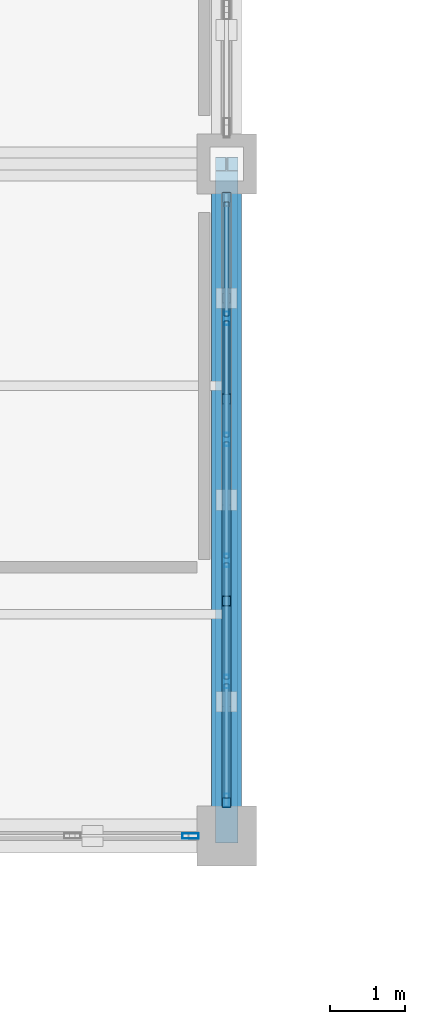
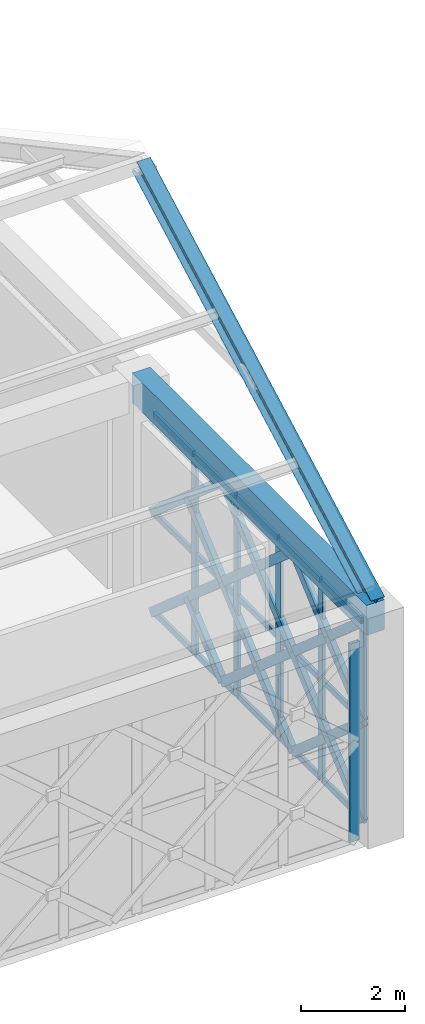
# One storey, part 54 of 86: 38 members, 1 beam, 2 elements without a shape of their own.
"""IFC4 building model written with IfcOpenShell, lengths in metres."""

from ifc_helpers import new_model, si_unit, direction, frame, origin, origin_2d, place, context, subcontext, project, spatial, rectangle, hollow_rectangle, i_section, extrude, material, material_profile, profile_set, type_object, element, aggregate, save


model = new_model("IFC4")

# Units and contexts
model_context = context("Model", 3, precision=1e-05, world=origin(), true_north=direction((0.0, 1.0)))
body_context = subcontext(model_context, "Body", "Model", "MODEL_VIEW")
ifc_project = project(units=[si_unit("LENGTHUNIT", "METRE"), si_unit("AREAUNIT", "SQUARE_METRE"), si_unit("VOLUMEUNIT", "CUBIC_METRE"), si_unit("PLANEANGLEUNIT", "RADIAN"), si_unit("MASSUNIT", "GRAM", prefix="KILO")], contexts=[model_context])

# Site, building, storey
site_placement = place(None, origin())
site = spatial("IfcSite", under=ifc_project, at=site_placement, CompositionType="ELEMENT")
building_placement = place(site_placement, origin())
building = spatial("IfcBuilding", under=site, at=building_placement, Name="Haizhuo Lancet Aquarium", CompositionType="ELEMENT")
storey_placement = place(building_placement, frame((0.0, 0.0, 16.199951171875)))
storey = spatial("IfcBuildingStorey", under=building, at=storey_placement, Name="L03", CompositionType="ELEMENT", Elevation=16.199951171875)

# Beam
ifc_material_1 = material(Name="Concrete C40/50", Category="concrete")
ifc_material_profile_1 = material_profile(ifc_material_1, rectangle(XDim=0.39990234375, YDim=0.699951171875, at=origin_2d()), Name="RC-BM 400x700")
ifc_profile_set_1 = profile_set([ifc_material_profile_1], Name="Concrete C40/50")
beam_type = type_object("IfcBeamType", Name="BM-RC-400x700", PredefinedType="BEAM", material=ifc_profile_set_1)
beam_placement = place(storey_placement, frame((72.0, -27.0, 5.050048828125), z_axis=(0.0, 1.0, 0.0), x_axis=(-1.0, 0.0, 0.0)))
element("IfcBeam", 1, at=beam_placement, inside=storey, type_object=beam_type, Name="L03 V3 primary girder BM-L03-V3-031", PredefinedType="BEAM", context=body_context, shape_type="SweptSolid", body=[
    extrude(rectangle(XDim=0.39990234375, YDim=0.699951171875, at=origin_2d()), origin(), (0.0, 0.0, 1.0), 9.0),
])

# Curtain wall, members
ifc_material_2 = material(Name="Aluminium 6063-T6", Category="aluminium")
curtain_wall_type_1 = type_object("IfcCurtainWallType", Name="CWO-8110x4700", PredefinedType="NOTDEFINED", material=ifc_material_2)
curtain_wall_1_placement = place(storey_placement, origin())
curtain_wall_1 = element("IfcCurtainWall", 2, at=curtain_wall_1_placement, inside=storey, type_object=curtain_wall_type_1, Name="L03 curtain wall CW-V3-L03-073", PredefinedType="NOTDEFINED")
ifc_material_profile_2 = material_profile(ifc_material_2, hollow_rectangle(XDim=0.06494140625, YDim=0.179931640625, WallThickness=0.00390625, at=origin_2d()), Name="ALU-M 65x180x4")
ifc_profile_set_2 = profile_set([ifc_material_profile_2], Name="Aluminium 6063-T6")
member_type_1 = type_object("IfcMemberType", Name="CW-MUL-1", PredefinedType="MULLION", material=ifc_profile_set_2)
member_1_placement = place(storey_placement, frame((72.0, -20.06689453125, 0.0), z_axis=(0.0, 0.0, 1.0), x_axis=(1.0, 0.0, 0.0)))
member_1 = element("IfcMember", 3, at=member_1_placement, type_object=member_type_1, Name="CWO-81x47 mullion 2", PredefinedType="MULLION", context=body_context, shape_type="SweptSolid", body=[
    extrude(hollow_rectangle(XDim=0.06494140625, YDim=0.179931640625, WallThickness=0.00390625, at=origin_2d()), origin(), (0.0, 0.0, 1.0), 4.699951171875),
])
member_2_placement = place(storey_placement, frame((72.0, -21.68896484375, 0.0), z_axis=(0.0, 0.0, 1.0), x_axis=(1.0, 0.0, 0.0)))
member_2 = element("IfcMember", 4, at=member_2_placement, type_object=member_type_1, Name="CWO-81x47 mullion 3", PredefinedType="MULLION", context=body_context, shape_type="SweptSolid", body=[
    extrude(hollow_rectangle(XDim=0.06494140625, YDim=0.179931640625, WallThickness=0.00390625, at=origin_2d()), origin(), (0.0, 0.0, 1.0), 4.699951171875),
])
member_3_placement = place(storey_placement, frame((72.0, -23.31103515625, 0.0), z_axis=(0.0, 0.0, 1.0), x_axis=(1.0, 0.0, 0.0)))
member_3 = element("IfcMember", 5, at=member_3_placement, type_object=member_type_1, Name="CWO-81x47 mullion 4", PredefinedType="MULLION", context=body_context, shape_type="SweptSolid", body=[
    extrude(hollow_rectangle(XDim=0.06494140625, YDim=0.179931640625, WallThickness=0.00390625, at=origin_2d()), origin(), (0.0, 0.0, 1.0), 4.699951171875),
])
member_4_placement = place(storey_placement, frame((72.0, -24.93310546875, 0.0), z_axis=(0.0, 0.0, 1.0), x_axis=(1.0, 0.0, 0.0)))
member_4 = element("IfcMember", 6, at=member_4_placement, type_object=member_type_1, Name="CWO-81x47 mullion 5", PredefinedType="MULLION", context=body_context, shape_type="SweptSolid", body=[
    extrude(hollow_rectangle(XDim=0.06494140625, YDim=0.179931640625, WallThickness=0.00390625, at=origin_2d()), origin(), (0.0, 0.0, 1.0), 4.699951171875),
])
member_5_placement = place(storey_placement, frame((72.0, -26.52294921875, 0.0), z_axis=(0.0, 0.0, 1.0), x_axis=(1.0, 0.0, 0.0)))
member_5 = element("IfcMember", 7, at=member_5_placement, type_object=member_type_1, Name="CWO-81x47 mullion 6", PredefinedType="MULLION", context=body_context, shape_type="SweptSolid", body=[
    extrude(hollow_rectangle(XDim=0.06494140625, YDim=0.179931640625, WallThickness=0.00390625, at=origin_2d()), origin(), (0.0, 0.0, 1.0), 4.699951171875),
])

# Curtain wall, member
curtain_wall_type_2 = type_object("IfcCurtainWallType", Name="CWO-8110x4650", PredefinedType="NOTDEFINED", material=ifc_material_2)
curtain_wall_2_placement = place(storey_placement, origin())
curtain_wall_2 = element("IfcCurtainWall", 8, at=curtain_wall_2_placement, inside=storey, type_object=curtain_wall_type_2, Name="L03 curtain wall CW-V3-L03-074", PredefinedType="NOTDEFINED")
ifc_material_profile_3 = material_profile(ifc_material_2, hollow_rectangle(XDim=0.074951171875, YDim=0.219970703125, WallThickness=0.0048828125, at=origin_2d()), Name="ALU-M 75x220x5")
ifc_profile_set_3 = profile_set([ifc_material_profile_3], Name="Aluminium 6063-T6")
member_type_2 = type_object("IfcMemberType", Name="CW-MUL-2", PredefinedType="MULLION", material=ifc_profile_set_3)
member_6_placement = place(storey_placement, frame((71.51806640625, -27.0, 0.0), z_axis=(0.0, 0.0, 1.0), x_axis=(0.0, -1.0, 0.0)))
member_6 = element("IfcMember", 9, at=member_6_placement, type_object=member_type_2, Name="CWO-81x46 mullion 1", PredefinedType="MULLION", context=body_context, shape_type="SweptSolid", body=[
    extrude(hollow_rectangle(XDim=0.074951171875, YDim=0.219970703125, WallThickness=0.0048828125, at=origin_2d()), origin(), (0.0, 0.0, 1.0), 4.650146484375),
])
aggregate(curtain_wall_2, [member_6])

# Member
ifc_material_profile_4 = material_profile(ifc_material_2, hollow_rectangle(XDim=0.06494140625, YDim=0.139892578125, WallThickness=0.00390625, at=origin_2d()), Name="ALU-T 65x140x4")
ifc_profile_set_4 = profile_set([ifc_material_profile_4], Name="Aluminium 6063-T6")
member_type_3 = type_object("IfcMemberType", Name="CW-TRN-1", PredefinedType="NOTDEFINED", material=ifc_profile_set_4)
member_7_placement = place(storey_placement, frame((72.0, -18.510009765625, 0.031982421875), z_axis=(0.0, -1.0, 0.0), x_axis=(1.0, 0.0, 0.0)))
member_7 = element("IfcMember", 10, at=member_7_placement, type_object=member_type_3, Name="CWO-81x47 transom 1.1", ObjectType="TRANSOM", PredefinedType="USERDEFINED", context=body_context, shape_type="SweptSolid", body=[
    extrude(hollow_rectangle(XDim=0.06494140625, YDim=0.139892578125, WallThickness=0.00390625, at=origin_2d()), origin(), (0.0, 0.0, 1.0), 1.52490234375),
])

member_8_placement = place(storey_placement, frame((72.0, -18.510009765625, 2.35009765625), z_axis=(0.0, -1.0, 0.0), x_axis=(1.0, 0.0, 0.0)))
member_8 = element("IfcMember", 11, at=member_8_placement, type_object=member_type_3, Name="CWO-81x47 transom 1.2", ObjectType="TRANSOM", PredefinedType="USERDEFINED", context=body_context, shape_type="SweptSolid", body=[
    extrude(hollow_rectangle(XDim=0.06494140625, YDim=0.139892578125, WallThickness=0.00390625, at=origin_2d()), origin(), (0.0, 0.0, 1.0), 1.52490234375),
])

member_9_placement = place(storey_placement, frame((72.0, -18.510009765625, 4.6669921875), z_axis=(0.0, -1.0, 0.0), x_axis=(1.0, 0.0, 0.0)))
member_9 = element("IfcMember", 12, at=member_9_placement, type_object=member_type_3, Name="CWO-81x47 transom 1.3", ObjectType="TRANSOM", PredefinedType="USERDEFINED", context=body_context, shape_type="SweptSolid", body=[
    extrude(hollow_rectangle(XDim=0.06494140625, YDim=0.139892578125, WallThickness=0.00390625, at=origin_2d()), origin(), (0.0, 0.0, 1.0), 1.52490234375),
])

member_10_placement = place(storey_placement, frame((72.0, -20.09912109375, 0.031982421875), z_axis=(0.0, -1.0, 0.0), x_axis=(1.0, 0.0, 0.0)))
member_10 = element("IfcMember", 13, at=member_10_placement, type_object=member_type_3, Name="CWO-81x47 transom 2.1", ObjectType="TRANSOM", PredefinedType="USERDEFINED", context=body_context, shape_type="SweptSolid", body=[
    extrude(hollow_rectangle(XDim=0.06494140625, YDim=0.139892578125, WallThickness=0.00390625, at=origin_2d()), origin(), (0.0, 0.0, 1.0), 1.557861328125),
])

member_11_placement = place(storey_placement, frame((72.0, -20.09912109375, 2.35009765625), z_axis=(0.0, -1.0, 0.0), x_axis=(1.0, 0.0, 0.0)))
member_11 = element("IfcMember", 14, at=member_11_placement, type_object=member_type_3, Name="CWO-81x47 transom 2.2", ObjectType="TRANSOM", PredefinedType="USERDEFINED", context=body_context, shape_type="SweptSolid", body=[
    extrude(hollow_rectangle(XDim=0.06494140625, YDim=0.139892578125, WallThickness=0.00390625, at=origin_2d()), origin(), (0.0, 0.0, 1.0), 1.557861328125),
])

member_12_placement = place(storey_placement, frame((72.0, -20.09912109375, 4.6669921875), z_axis=(0.0, -1.0, 0.0), x_axis=(1.0, 0.0, 0.0)))
member_12 = element("IfcMember", 15, at=member_12_placement, type_object=member_type_3, Name="CWO-81x47 transom 2.3", ObjectType="TRANSOM", PredefinedType="USERDEFINED", context=body_context, shape_type="SweptSolid", body=[
    extrude(hollow_rectangle(XDim=0.06494140625, YDim=0.139892578125, WallThickness=0.00390625, at=origin_2d()), origin(), (0.0, 0.0, 1.0), 1.557861328125),
])

member_13_placement = place(storey_placement, frame((72.0, -21.720947265625, 0.031982421875), z_axis=(0.0, -1.0, 0.0), x_axis=(1.0, 0.0, 0.0)))
member_13 = element("IfcMember", 16, at=member_13_placement, type_object=member_type_3, Name="CWO-81x47 transom 3.1", ObjectType="TRANSOM", PredefinedType="USERDEFINED", context=body_context, shape_type="SweptSolid", body=[
    extrude(hollow_rectangle(XDim=0.06494140625, YDim=0.139892578125, WallThickness=0.00390625, at=origin_2d()), origin(), (0.0, 0.0, 1.0), 1.55810546875),
])

member_14_placement = place(storey_placement, frame((72.0, -21.720947265625, 2.35009765625), z_axis=(0.0, -1.0, 0.0), x_axis=(1.0, 0.0, 0.0)))
member_14 = element("IfcMember", 17, at=member_14_placement, type_object=member_type_3, Name="CWO-81x47 transom 3.2", ObjectType="TRANSOM", PredefinedType="USERDEFINED", context=body_context, shape_type="SweptSolid", body=[
    extrude(hollow_rectangle(XDim=0.06494140625, YDim=0.139892578125, WallThickness=0.00390625, at=origin_2d()), origin(), (0.0, 0.0, 1.0), 1.55810546875),
])

member_15_placement = place(storey_placement, frame((72.0, -21.720947265625, 4.6669921875), z_axis=(0.0, -1.0, 0.0), x_axis=(1.0, 0.0, 0.0)))
member_15 = element("IfcMember", 18, at=member_15_placement, type_object=member_type_3, Name="CWO-81x47 transom 3.3", ObjectType="TRANSOM", PredefinedType="USERDEFINED", context=body_context, shape_type="SweptSolid", body=[
    extrude(hollow_rectangle(XDim=0.06494140625, YDim=0.139892578125, WallThickness=0.00390625, at=origin_2d()), origin(), (0.0, 0.0, 1.0), 1.55810546875),
])

member_16_placement = place(storey_placement, frame((72.0, -23.343017578125, 0.031982421875), z_axis=(0.0, -1.0, 0.0), x_axis=(1.0, 0.0, 0.0)))
member_16 = element("IfcMember", 19, at=member_16_placement, type_object=member_type_3, Name="CWO-81x47 transom 4.1", ObjectType="TRANSOM", PredefinedType="USERDEFINED", context=body_context, shape_type="SweptSolid", body=[
    extrude(hollow_rectangle(XDim=0.06494140625, YDim=0.139892578125, WallThickness=0.00390625, at=origin_2d()), origin(), (0.0, 0.0, 1.0), 1.557861328125),
])

member_17_placement = place(storey_placement, frame((72.0, -23.343017578125, 2.35009765625), z_axis=(0.0, -1.0, 0.0), x_axis=(1.0, 0.0, 0.0)))
member_17 = element("IfcMember", 20, at=member_17_placement, type_object=member_type_3, Name="CWO-81x47 transom 4.2", ObjectType="TRANSOM", PredefinedType="USERDEFINED", context=body_context, shape_type="SweptSolid", body=[
    extrude(hollow_rectangle(XDim=0.06494140625, YDim=0.139892578125, WallThickness=0.00390625, at=origin_2d()), origin(), (0.0, 0.0, 1.0), 1.557861328125),
])

member_18_placement = place(storey_placement, frame((72.0, -23.343017578125, 4.6669921875), z_axis=(0.0, -1.0, 0.0), x_axis=(1.0, 0.0, 0.0)))
member_18 = element("IfcMember", 21, at=member_18_placement, type_object=member_type_3, Name="CWO-81x47 transom 4.3", ObjectType="TRANSOM", PredefinedType="USERDEFINED", context=body_context, shape_type="SweptSolid", body=[
    extrude(hollow_rectangle(XDim=0.06494140625, YDim=0.139892578125, WallThickness=0.00390625, at=origin_2d()), origin(), (0.0, 0.0, 1.0), 1.557861328125),
])

member_19_placement = place(storey_placement, frame((72.0, -24.965087890625, 0.031982421875), z_axis=(0.0, -1.0, 0.0), x_axis=(1.0, 0.0, 0.0)))
member_19 = element("IfcMember", 22, at=member_19_placement, type_object=member_type_3, Name="CWO-81x47 transom 5.1", ObjectType="TRANSOM", PredefinedType="USERDEFINED", context=body_context, shape_type="SweptSolid", body=[
    extrude(hollow_rectangle(XDim=0.06494140625, YDim=0.139892578125, WallThickness=0.00390625, at=origin_2d()), origin(), (0.0, 0.0, 1.0), 1.52490234375),
])

member_20_placement = place(storey_placement, frame((72.0, -24.965087890625, 2.35009765625), z_axis=(0.0, -1.0, 0.0), x_axis=(1.0, 0.0, 0.0)))
member_20 = element("IfcMember", 23, at=member_20_placement, type_object=member_type_3, Name="CWO-81x47 transom 5.2", ObjectType="TRANSOM", PredefinedType="USERDEFINED", context=body_context, shape_type="SweptSolid", body=[
    extrude(hollow_rectangle(XDim=0.06494140625, YDim=0.139892578125, WallThickness=0.00390625, at=origin_2d()), origin(), (0.0, 0.0, 1.0), 1.52490234375),
])

member_21_placement = place(storey_placement, frame((72.0, -24.965087890625, 4.6669921875), z_axis=(0.0, -1.0, 0.0), x_axis=(1.0, 0.0, 0.0)))
member_21 = element("IfcMember", 24, at=member_21_placement, type_object=member_type_3, Name="CWO-81x47 transom 5.3", ObjectType="TRANSOM", PredefinedType="USERDEFINED", context=body_context, shape_type="SweptSolid", body=[
    extrude(hollow_rectangle(XDim=0.06494140625, YDim=0.139892578125, WallThickness=0.00390625, at=origin_2d()), origin(), (0.0, 0.0, 1.0), 1.52490234375),
])

aggregate(curtain_wall_1, [member_1, member_2, member_3, member_4, member_5, member_7, member_8, member_9, member_10, member_11, member_12, member_13, member_14, member_15, member_16, member_17, member_18, member_19, member_20, member_21])

# Members
ifc_material_3 = material(Name="Steel S355", Category="steel")
ifc_material_profile_5 = material_profile(ifc_material_3, hollow_rectangle(XDim=0.1201171875, YDim=0.199951171875, WallThickness=0.008056640625, at=origin_2d()), Name="RHS 120x200x8")
ifc_profile_set_5 = profile_set([ifc_material_profile_5], Name="Steel S355")
member_type_4 = type_object("IfcMemberType", Name="MEM-LB-RHS120x200", PredefinedType="BRACE", material=ifc_profile_set_5)
member_22_placement = place(storey_placement, frame((72.0, -18.445068359375, 0.0), z_axis=(0.0, -0.754637805349, 0.656141587417), x_axis=(1.0, 0.0, 0.0)))
element("IfcMember", 25, at=member_22_placement, inside=storey, type_object=member_type_4, Name="Gothic lancet continuous diagonal brace CW-V3-L03-073 1A", PredefinedType="BRACE", context=body_context, shape_type="SweptSolid", body=[
    extrude(hollow_rectangle(XDim=0.1201171875, YDim=0.199951171875, WallThickness=0.008056640625, at=origin_2d()), origin(), (0.0, 0.0, 1.0), 3.581787109375),
])
member_23_placement = place(storey_placement, frame((72.0, -21.14794921875, 0.0), z_axis=(0.0, 0.754491019428, 0.656310369873), x_axis=(-1.0, 0.0, 0.0)))
element("IfcMember", 26, at=member_23_placement, inside=storey, type_object=member_type_4, Name="Gothic lancet split diagonal brace CW-V3-L03-073 1B1", PredefinedType="BRACE", context=body_context, shape_type="SweptSolid", body=[
    extrude(hollow_rectangle(XDim=0.1201171875, YDim=0.199951171875, WallThickness=0.008056640625, at=origin_2d()), origin(), (0.0, 0.0, 1.0), 1.790283203125),
])
member_24_placement = place(storey_placement, frame((72.0, -18.445068359375, 2.35009765625), z_axis=(0.0, -0.754671556952, 0.6561027672), x_axis=(1.0, 0.0, 0.0)))
element("IfcMember", 27, at=member_24_placement, inside=storey, type_object=member_type_4, Name="Gothic lancet continuous diagonal brace CW-V3-L03-073 2A", PredefinedType="BRACE", context=body_context, shape_type="SweptSolid", body=[
    extrude(hollow_rectangle(XDim=0.1201171875, YDim=0.199951171875, WallThickness=0.008056640625, at=origin_2d()), origin(), (0.0, 0.0, 1.0), 3.58154296875),
])
member_25_placement = place(storey_placement, frame((72.0, -21.14794921875, 2.35009765625), z_axis=(0.0, 0.754491019428, 0.656310369873), x_axis=(-1.0, 0.0, 0.0)))
element("IfcMember", 28, at=member_25_placement, inside=storey, type_object=member_type_4, Name="Gothic lancet split diagonal brace CW-V3-L03-073 2B1", PredefinedType="BRACE", context=body_context, shape_type="SweptSolid", body=[
    extrude(hollow_rectangle(XDim=0.1201171875, YDim=0.199951171875, WallThickness=0.008056640625, at=origin_2d()), origin(), (0.0, 0.0, 1.0), 1.790283203125),
])
member_26_placement = place(storey_placement, frame((72.0, -21.14794921875, 0.0), z_axis=(0.0, -0.754784478057, 0.655972858954), x_axis=(1.0, 0.0, 0.0)))
element("IfcMember", 29, at=member_26_placement, inside=storey, type_object=member_type_4, Name="Gothic lancet continuous diagonal brace CW-V3-L03-073 3A", PredefinedType="BRACE", context=body_context, shape_type="SweptSolid", body=[
    extrude(hollow_rectangle(XDim=0.1201171875, YDim=0.199951171875, WallThickness=0.008056640625, at=origin_2d()), origin(), (0.0, 0.0, 1.0), 3.58251953125),
])
for number, where, z_axis, x_axis, name in (
    (30, (72.0, -23.85205078125, 0.0), (0.0, 0.754784478057, 0.655972858954), (-1.0, 0.0, 0.0), "Gothic lancet split diagonal brace CW-V3-L03-073 3B1"),
    (31, (72.0, -22.5, 1.175048828125), (0.0, 0.754784478057, 0.655972858954), (-1.0, 0.0, 0.0), "Gothic lancet split diagonal brace CW-V3-L03-073 3B2"),
):
    element("IfcMember", number, at=place(storey_placement, frame(where, z_axis=z_axis, x_axis=x_axis)), inside=storey, type_object=member_type_4, Name=name, PredefinedType="BRACE", context=body_context, shape_type="SweptSolid", body=[
        extrude(hollow_rectangle(XDim=0.1201171875, YDim=0.199951171875, WallThickness=0.008056640625, at=origin_2d()), origin(), (0.0, 0.0, 1.0), 1.791259765625),
    ])
member_27_placement = place(storey_placement, frame((72.0, -21.14794921875, 2.35009765625), z_axis=(0.0, -0.754818218859, 0.655934033633), x_axis=(1.0, 0.0, 0.0)))
element("IfcMember", 32, at=member_27_placement, inside=storey, type_object=member_type_4, Name="Gothic lancet continuous diagonal brace CW-V3-L03-073 4A", PredefinedType="BRACE", context=body_context, shape_type="SweptSolid", body=[
    extrude(hollow_rectangle(XDim=0.1201171875, YDim=0.199951171875, WallThickness=0.008056640625, at=origin_2d()), origin(), (0.0, 0.0, 1.0), 3.58251953125),
])
for number, where, z_axis, x_axis, name in (
    (33, (72.0, -23.85205078125, 2.35009765625), (0.0, 0.754784478057, 0.655972858954), (-1.0, 0.0, 0.0), "Gothic lancet split diagonal brace CW-V3-L03-073 4B1"),
    (34, (72.0, -22.5, 3.525146484375), (0.0, 0.754851960681, 0.655895203105), (-1.0, 0.0, 0.0), "Gothic lancet split diagonal brace CW-V3-L03-073 4B2"),
):
    element("IfcMember", number, at=place(storey_placement, frame(where, z_axis=z_axis, x_axis=x_axis)), inside=storey, type_object=member_type_4, Name=name, PredefinedType="BRACE", context=body_context, shape_type="SweptSolid", body=[
        extrude(hollow_rectangle(XDim=0.1201171875, YDim=0.199951171875, WallThickness=0.008056640625, at=origin_2d()), origin(), (0.0, 0.0, 1.0), 1.791259765625),
    ])
member_28_placement = place(storey_placement, frame((72.0, -23.85205078125, 0.0), z_axis=(0.0, -0.754637805349, 0.656141587417), x_axis=(1.0, 0.0, 0.0)))
element("IfcMember", 35, at=member_28_placement, inside=storey, type_object=member_type_4, Name="Gothic lancet continuous diagonal brace CW-V3-L03-073 5A", PredefinedType="BRACE", context=body_context, shape_type="SweptSolid", body=[
    extrude(hollow_rectangle(XDim=0.1201171875, YDim=0.199951171875, WallThickness=0.008056640625, at=origin_2d()), origin(), (0.0, 0.0, 1.0), 3.581787109375),
])
member_29_placement = place(storey_placement, frame((72.0, -26.554931640625, 0.0), z_axis=(0.0, 0.754784478057, 0.655972858954), x_axis=(-1.0, 0.0, 0.0)))
element("IfcMember", 36, at=member_29_placement, inside=storey, type_object=member_type_4, Name="Gothic lancet split diagonal brace CW-V3-L03-073 5B1", PredefinedType="BRACE", context=body_context, shape_type="SweptSolid", body=[
    extrude(hollow_rectangle(XDim=0.1201171875, YDim=0.199951171875, WallThickness=0.008056640625, at=origin_2d()), origin(), (0.0, 0.0, 1.0), 1.791259765625),
])
member_30_placement = place(storey_placement, frame((72.0, -25.202880859375, 1.175048828125), z_axis=(0.0, 0.754491019428, 0.656310369873), x_axis=(-1.0, 0.0, 0.0)))
element("IfcMember", 37, at=member_30_placement, inside=storey, type_object=member_type_4, Name="Gothic lancet split diagonal brace CW-V3-L03-073 5B2", PredefinedType="BRACE", context=body_context, shape_type="SweptSolid", body=[
    extrude(hollow_rectangle(XDim=0.1201171875, YDim=0.199951171875, WallThickness=0.008056640625, at=origin_2d()), origin(), (0.0, 0.0, 1.0), 1.790283203125),
])
member_31_placement = place(storey_placement, frame((72.0, -23.85205078125, 2.35009765625), z_axis=(0.0, -0.754671556952, 0.6561027672), x_axis=(1.0, 0.0, 0.0)))
element("IfcMember", 38, at=member_31_placement, inside=storey, type_object=member_type_4, Name="Gothic lancet continuous diagonal brace CW-V3-L03-073 6A", PredefinedType="BRACE", context=body_context, shape_type="SweptSolid", body=[
    extrude(hollow_rectangle(XDim=0.1201171875, YDim=0.199951171875, WallThickness=0.008056640625, at=origin_2d()), origin(), (0.0, 0.0, 1.0), 3.58154296875),
])
member_32_placement = place(storey_placement, frame((72.0, -26.554931640625, 2.35009765625), z_axis=(0.0, 0.754784478057, 0.655972858954), x_axis=(-1.0, 0.0, 0.0)))
element("IfcMember", 39, at=member_32_placement, inside=storey, type_object=member_type_4, Name="Gothic lancet split diagonal brace CW-V3-L03-073 6B1", PredefinedType="BRACE", context=body_context, shape_type="SweptSolid", body=[
    extrude(hollow_rectangle(XDim=0.1201171875, YDim=0.199951171875, WallThickness=0.008056640625, at=origin_2d()), origin(), (0.0, 0.0, 1.0), 1.791259765625),
])
member_33_placement = place(storey_placement, frame((72.0, -25.202880859375, 3.525146484375), z_axis=(0.0, 0.754558545257, 0.656232734462), x_axis=(-1.0, 0.0, 0.0)))
element("IfcMember", 40, at=member_33_placement, inside=storey, type_object=member_type_4, Name="Gothic lancet split diagonal brace CW-V3-L03-073 6B2", PredefinedType="BRACE", context=body_context, shape_type="SweptSolid", body=[
    extrude(hollow_rectangle(XDim=0.1201171875, YDim=0.199951171875, WallThickness=0.008056640625, at=origin_2d()), origin(), (0.0, 0.0, 1.0), 1.790283203125),
])
ifc_material_profile_6 = material_profile(ifc_material_3, i_section(OverallWidth=0.300048828125, OverallDepth=0.389892578125, WebThickness=0.010009765625, FlangeThickness=0.01611328125, FilletRadius=0.02001953125, at=origin_2d()), Name="HM 390x300x10x16")
ifc_profile_set_6 = profile_set([ifc_material_profile_6], Name="Steel S355")
member_type_5 = type_object("IfcMemberType", Name="MEM-RF-HM390", PredefinedType="RAFTER", material=ifc_profile_set_6)
member_34_placement = place(storey_placement, frame((72.0, -27.0, 5.3701171875), z_axis=(0.0, 0.880479536064, 0.474084155581), x_axis=(-1.0, 0.0, 0.0)))
element("IfcMember", 41, at=member_34_placement, inside=storey, type_object=member_type_5, Name="V3 Gothic pitched roof south rafter 6", PredefinedType="RAFTER", context=body_context, shape_type="SweptSolid", body=[
    extrude(i_section(OverallWidth=0.300048828125, OverallDepth=0.389892578125, WebThickness=0.010009765625, FlangeThickness=0.01611328125, FilletRadius=0.02001953125, at=origin_2d()), origin(), (0.0, 0.0, 1.0), 10.2216796875),
])

save(model, "model.ifc")
